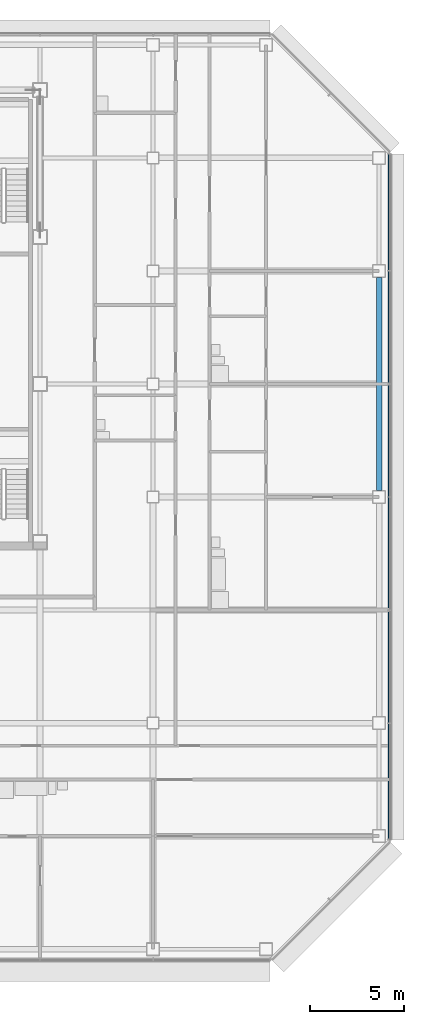
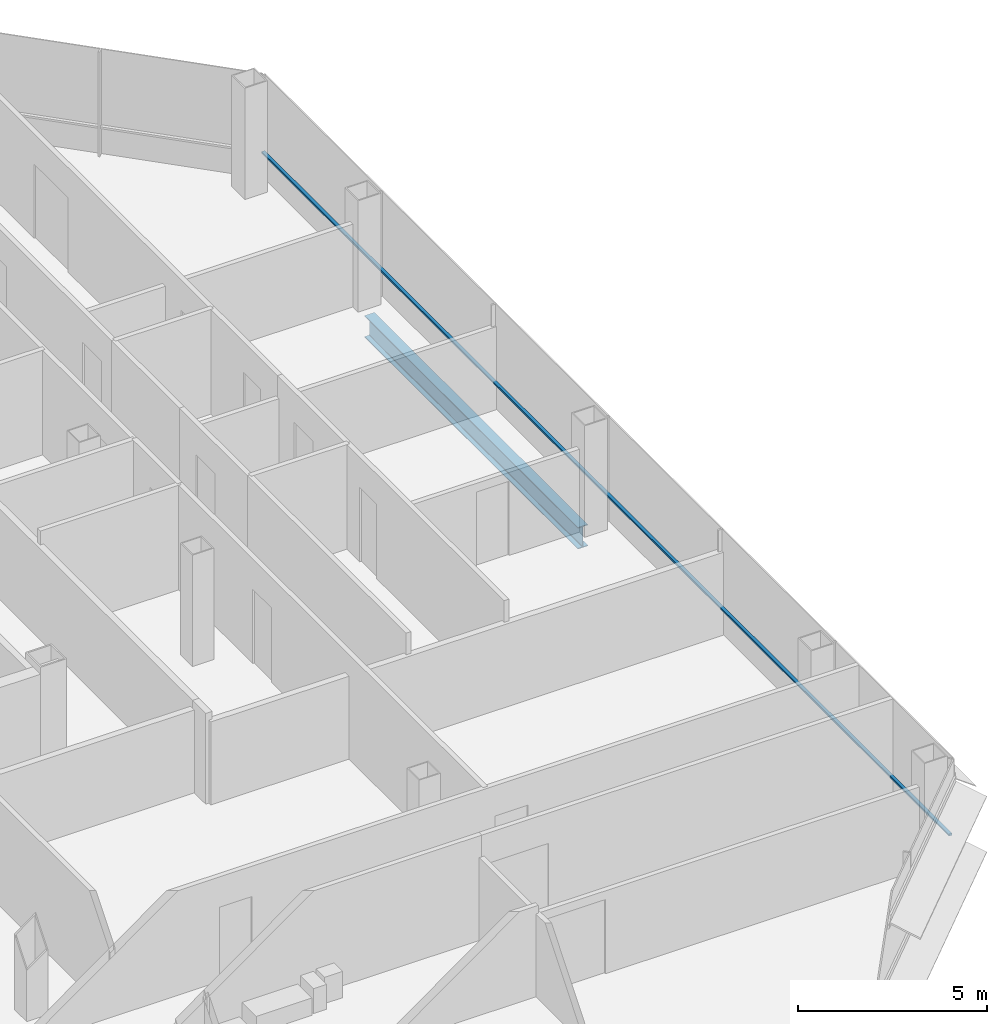
# One storey, part 16 of 26: 1 beam, 1 member, 1 element without a shape of its own.
"""IFC4 building model written with IfcOpenShell, lengths in metres."""

from ifc_helpers import new_model, si_unit, direction, frame, origin, origin_2d, place, context, subcontext, project, spatial, rectangle, i_section, extrude, material, material_profile, profile_set, type_object, element, aggregate, save


model = new_model("IFC4")

# Units and contexts
model_context = context("Model", 3, precision=1e-05, world=origin(), true_north=direction((0.0, 1.0)))
body_context = subcontext(model_context, "Body", "Model", "MODEL_VIEW")
ifc_project = project(units=[si_unit("LENGTHUNIT", "METRE"), si_unit("AREAUNIT", "SQUARE_METRE"), si_unit("VOLUMEUNIT", "CUBIC_METRE"), si_unit("PLANEANGLEUNIT", "RADIAN"), si_unit("MASSUNIT", "GRAM", prefix="KILO")], contexts=[model_context])

# Site, building, storey
site_placement = place(None, origin())
site = spatial("IfcSite", under=ifc_project, at=site_placement, CompositionType="ELEMENT")
building_placement = place(site_placement, origin())
building = spatial("IfcBuilding", under=site, at=building_placement, Name="Sorahane Residences", CompositionType="ELEMENT")
storey_placement = place(building_placement, frame((0.0, 0.0, 158.199951171875)))
storey = spatial("IfcBuildingStorey", under=building, at=storey_placement, Name="L36", CompositionType="ELEMENT", Elevation=158.199951171875)

# Curtain wall, member
ifc_material_1 = material(Name="Dark low-e glass and black anodised aluminium", Category="aluminium")
curtain_wall_type = type_object("IfcCurtainWallType", Name="Curtain wall CW-1 Typical unitised wall", PredefinedType="NOTDEFINED", material=ifc_material_1)
curtain_wall_placement = place(storey_placement, origin())
curtain_wall = element("IfcCurtainWall", 1, at=curtain_wall_placement, inside=storey, type_object=curtain_wall_type, Name="CW-1 curtain wall L36 E1", PredefinedType="NOTDEFINED")
ifc_material_2 = material(Name="Black anodised aluminium", Category="aluminium")
ifc_material_profile_1 = material_profile(ifc_material_2, rectangle(XDim=0.10009765625, YDim=0.06005859375, at=origin_2d()), Name="Curtain wall transom CW-1 black anodised aluminium 60x100")
ifc_profile_set_1 = profile_set([ifc_material_profile_1], Name="Black anodised aluminium")
member_type = type_object("IfcMemberType", Name="Curtain wall transom CW-1 black anodised aluminium 60x100", PredefinedType="USERDEFINED", material=ifc_profile_set_1)
member_placement = place(storey_placement, frame((60.530029296875, 5.801513671875, 0.900146484375), z_axis=(0.0, 1.0, 0.0), x_axis=(-1.0, 0.0, 0.0)))
member = element("IfcMember", 2, at=member_placement, type_object=member_type, Name="CW-1 transom L36 E1", ObjectType="TRANSOM", PredefinedType="USERDEFINED", context=body_context, shape_type="SweptSolid", body=[
    extrude(rectangle(XDim=0.10009765625, YDim=0.06005859375, at=origin_2d()), origin(), (0.0, 0.0, 1.0), 36.39697265625),
])
aggregate(curtain_wall, [member])

# Beam
ifc_material_3 = material(Name="Steel Q355B", Category="steel")
ifc_material_profile_2 = material_profile(ifc_material_3, i_section(OverallWidth=0.300048828125, OverallDepth=0.699951171875, WebThickness=0.012939453125, FlangeThickness=0.02392578125, FilletRadius=0.028076171875, at=origin_2d()), Name="HN 700x300x13x24")
ifc_profile_set_2 = profile_set([ifc_material_profile_2], Name="Steel Q355B")
beam_type = type_object("IfcBeamType", Name="Steel floor beam HN 700x300x13x24 Q355B", PredefinedType="BEAM", material=ifc_profile_set_2)
beam_placement = place(storey_placement, frame((60.0, 24.35009765625, -0.530029296875), z_axis=(0.0, 1.0, 0.0), x_axis=(-1.0, 0.0, 0.0)))
element("IfcBeam", 3, at=beam_placement, inside=storey, type_object=beam_type, Name="Beam L36 066", PredefinedType="BEAM", context=body_context, shape_type="SweptSolid", body=[
    extrude(i_section(OverallWidth=0.300048828125, OverallDepth=0.699951171875, WebThickness=0.012939453125, FlangeThickness=0.02392578125, FilletRadius=0.028076171875, at=origin_2d()), origin(), (0.0, 0.0, 1.0), 11.2998046875),
])

save(model, "model.ifc")
